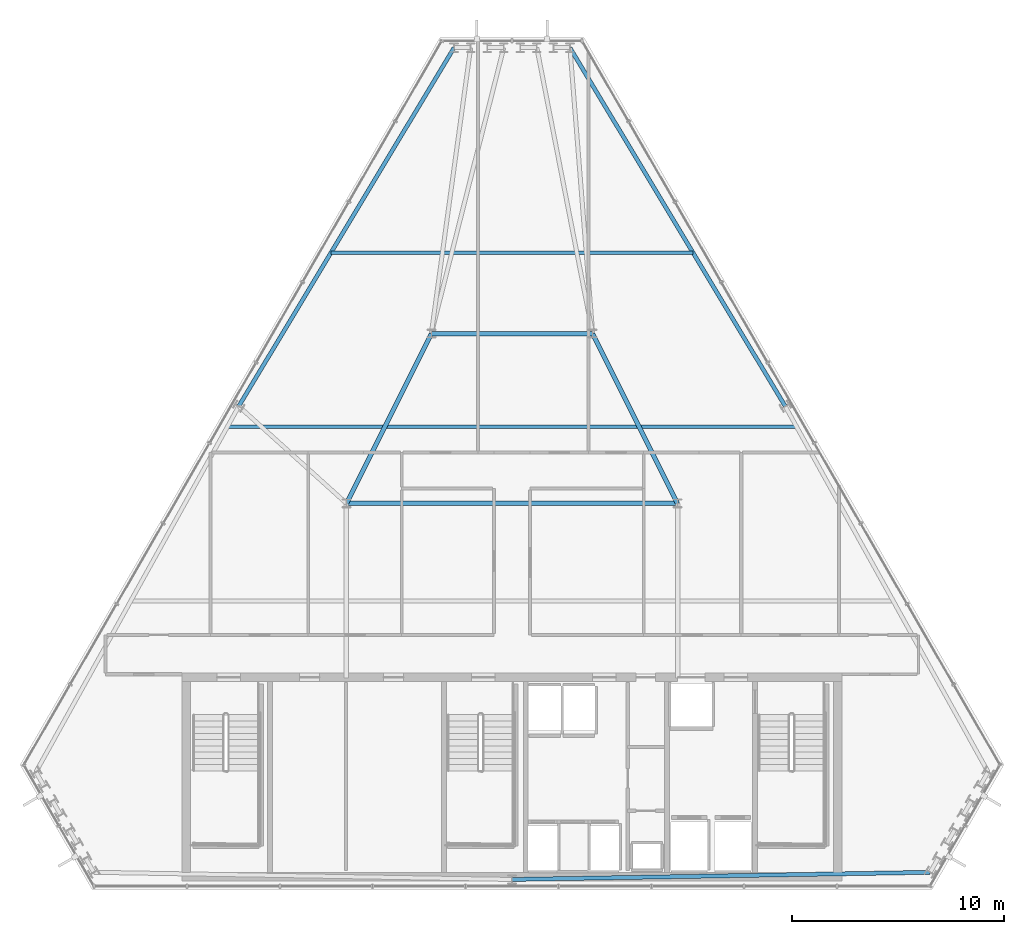
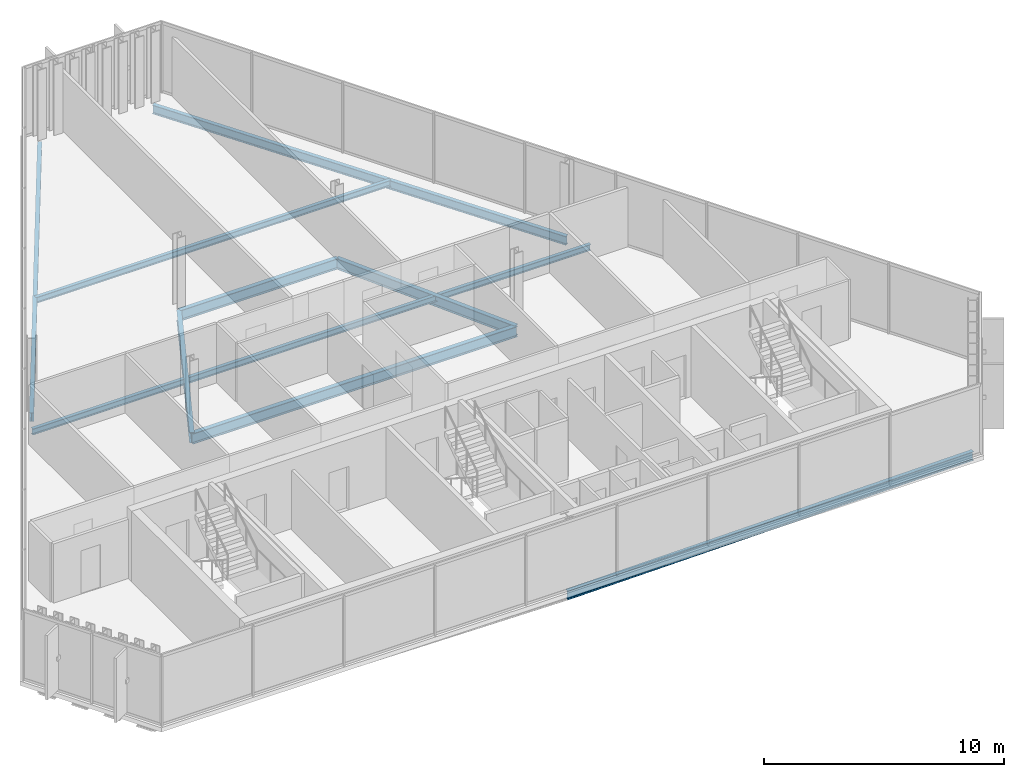
# One storey, part 13 of 29: 9 beams.
"""IFC4 building model written with IfcOpenShell, lengths in metres."""

from ifc_helpers import new_model, si_unit, direction, frame, origin, origin_2d, place, context, subcontext, project, spatial, i_section, extrude, material, material_profile, profile_set, type_object, element, save


model = new_model("IFC4")

# Units and contexts
model_context = context("Model", 3, precision=1e-05, world=origin(), true_north=direction((0.0, 1.0)))
body_context = subcontext(model_context, "Body", "Model", "MODEL_VIEW")
ifc_project = project(units=[si_unit("LENGTHUNIT", "METRE"), si_unit("AREAUNIT", "SQUARE_METRE"), si_unit("VOLUMEUNIT", "CUBIC_METRE"), si_unit("PLANEANGLEUNIT", "RADIAN"), si_unit("MASSUNIT", "GRAM", prefix="KILO")], contexts=[model_context])

# Site, building, storey
site_placement = place(None, origin())
site = spatial("IfcSite", under=ifc_project, at=site_placement, CompositionType="ELEMENT")
building_placement = place(site_placement, origin())
building = spatial("IfcBuilding", under=site, at=building_placement, Name="Ndaravel Arena Tower", CompositionType="ELEMENT")
storey_placement = place(building_placement, frame((0.0, 0.0, 244.60009765625)))
storey = spatial("IfcBuildingStorey", under=building, at=storey_placement, Name="L59", CompositionType="ELEMENT", Elevation=244.60009765625)

# Beams
ifc_material_1 = material(Name="Steel S355", Category="steel")
ifc_material_profile_1 = material_profile(ifc_material_1, i_section(OverallWidth=0.210693359375, OverallDepth=0.53955078125, WebThickness=0.01171875, FlangeThickness=0.018798828125, FilletRadius=0.0126953125, at=origin_2d()), Name="UB 533x210x109")
ifc_profile_set_1 = profile_set([ifc_material_profile_1], Name="Steel S355")
beam_type_1 = type_object("IfcBeamType", Name="BM-GIRD-UB533", PredefinedType="BEAM", material=ifc_profile_set_1)
beam_1_placement = place(storey_placement, frame((34.199951171875, 23.199951171875, -0.48974609375), z_axis=(1.0, 0.0, 0.0), x_axis=(0.0, 1.0, 0.0)))
element("IfcBeam", 1, at=beam_1_placement, inside=storey, type_object=beam_type_1, Name="L59 Spine Link Girder SLG-03", PredefinedType="BEAM", context=body_context, shape_type="SweptSolid", body=[
    extrude(i_section(OverallWidth=0.210693359375, OverallDepth=0.53955078125, WebThickness=0.01171875, FlangeThickness=0.018798828125, FilletRadius=0.0126953125, at=origin_2d()), origin(), (0.0, 0.0, 1.0), 15.60009765625),
])
for number, where, z_axis, x_axis, name in (
    (2, (34.199951171875, 23.199951171875, -0.48974609375), (0.4472135955, 0.894427191, 0.0), (-0.894427191, 0.4472135955, 0.0), "L59 Spine Link Girder SLG-04"),
    (3, (49.800048828125, 23.199951171875, -0.48974609375), (-0.4472135955, 0.894427191, 0.0), (-0.894427191, -0.4472135955, 0.0), "L59 Spine Link Girder SLG-05"),
):
    element("IfcBeam", number, at=place(storey_placement, frame(where, z_axis=z_axis, x_axis=x_axis)), inside=storey, type_object=beam_type_1, Name=name, PredefinedType="BEAM", context=body_context, shape_type="SweptSolid", body=[
        extrude(i_section(OverallWidth=0.210693359375, OverallDepth=0.53955078125, WebThickness=0.01171875, FlangeThickness=0.018798828125, FilletRadius=0.0126953125, at=origin_2d()), origin(), (0.0, 0.0, 1.0), 8.9443359375),
    ])
beam_2_placement = place(storey_placement, frame((38.199951171875, 31.199951171875, -0.48974609375), z_axis=(1.0, 0.0, 0.0), x_axis=(0.0, 1.0, 0.0)))
element("IfcBeam", 4, at=beam_2_placement, inside=storey, type_object=beam_type_1, Name="L59 Spine Link Girder SLG-06", PredefinedType="BEAM", context=body_context, shape_type="SweptSolid", body=[
    extrude(i_section(OverallWidth=0.210693359375, OverallDepth=0.53955078125, WebThickness=0.01171875, FlangeThickness=0.018798828125, FilletRadius=0.0126953125, at=origin_2d()), origin(), (0.0, 0.0, 1.0), 7.60009765625),
])
ifc_material_2 = material(Name="Steel S355", Category="steel")
ifc_material_profile_2 = material_profile(ifc_material_2, i_section(OverallWidth=0.165771484375, OverallDepth=0.306640625, WebThickness=0.006591796875, FlangeThickness=0.01171875, FilletRadius=0.0087890625, at=origin_2d()), Name="UB 305x165x46")
ifc_profile_set_2 = profile_set([ifc_material_profile_2], Name="Steel S355")
beam_type_2 = type_object("IfcBeamType", Name="BM-JOIST-UB305", PredefinedType="JOIST", material=ifc_profile_set_2)
beam_3_placement = place(storey_placement, frame((28.586181640625, 26.800048828125, -0.373291015625), z_axis=(1.0, 0.0, 0.0), x_axis=(0.0, 1.0, 0.0)))
element("IfcBeam", 5, at=beam_3_placement, inside=storey, type_object=beam_type_2, Name="L59 Composite Floor Joist FJ-02", PredefinedType="JOIST", context=body_context, shape_type="SweptSolid", body=[
    extrude(i_section(OverallWidth=0.165771484375, OverallDepth=0.306640625, WebThickness=0.006591796875, FlangeThickness=0.01171875, FilletRadius=0.0087890625, at=origin_2d()), origin(), (0.0, 0.0, 1.0), 26.82763671875),
])
beam_4_placement = place(storey_placement, frame((33.465087890625, 35.0, -0.373291015625), z_axis=(1.0, 0.0, 0.0), x_axis=(0.0, 1.0, 0.0)))
element("IfcBeam", 6, at=beam_4_placement, inside=storey, type_object=beam_type_2, Name="L59 Composite Floor Joist FJ-03", PredefinedType="JOIST", context=body_context, shape_type="SweptSolid", body=[
    extrude(i_section(OverallWidth=0.165771484375, OverallDepth=0.306640625, WebThickness=0.006591796875, FlangeThickness=0.01171875, FilletRadius=0.0087890625, at=origin_2d()), origin(), (0.0, 0.0, 1.0), 17.06982421875),
])
ifc_material_3 = material(Name="Steel S355", Category="steel")
ifc_material_profile_3 = material_profile(ifc_material_3, i_section(OverallWidth=0.18994140625, OverallDepth=0.449951171875, WebThickness=0.009521484375, FlangeThickness=0.0146484375, FilletRadius=0.02099609375, at=origin_2d()), Name="IPE 450")
ifc_profile_set_3 = profile_set([ifc_material_profile_3], Name="Steel S355")
beam_type_3 = type_object("IfcBeamType", Name="BM-SPAN-IPE450", PredefinedType="SPANDREL", material=ifc_profile_set_3)
for number, where, z_axis, x_axis, name in (
    (7, (42.0, 5.47998046875, -0.445068359375), (0.999853184589, 0.017135030412, 0.0), (-0.017135030412, 0.999853184589, 0.0), "L59 Perimeter Spandrel Beam SP-01"),
    (8, (54.87255859375, 27.77587890625, -0.445068359375), (-0.51476720981, 0.857329994637, 0.0), (-0.857329994637, -0.51476720981, 0.0), "L59 Perimeter Spandrel Beam SP-10"),
    (9, (39.27099609375, 44.669677734375, -0.445068359375), (-0.51476720981, -0.857329994637, 0.0), (0.857329994637, -0.51476720981, 0.0), "L59 Perimeter Spandrel Beam SP-18"),
):
    element("IfcBeam", number, at=place(storey_placement, frame(where, z_axis=z_axis, x_axis=x_axis)), inside=storey, type_object=beam_type_3, Name=name, PredefinedType="SPANDREL", context=body_context, shape_type="SweptSolid", body=[
        extrude(i_section(OverallWidth=0.18994140625, OverallDepth=0.449951171875, WebThickness=0.009521484375, FlangeThickness=0.0146484375, FilletRadius=0.02099609375, at=origin_2d()), origin(), (0.0, 0.0, 1.0), 19.705078125),
    ])

save(model, "model.ifc")
